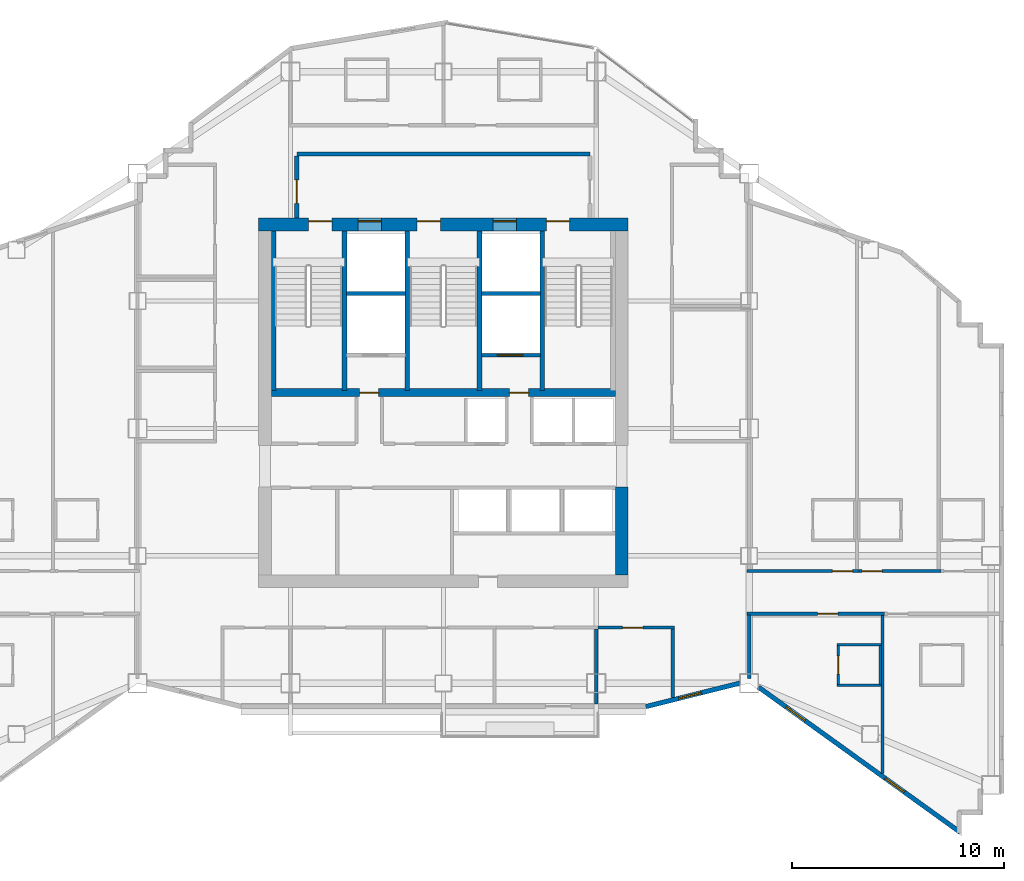
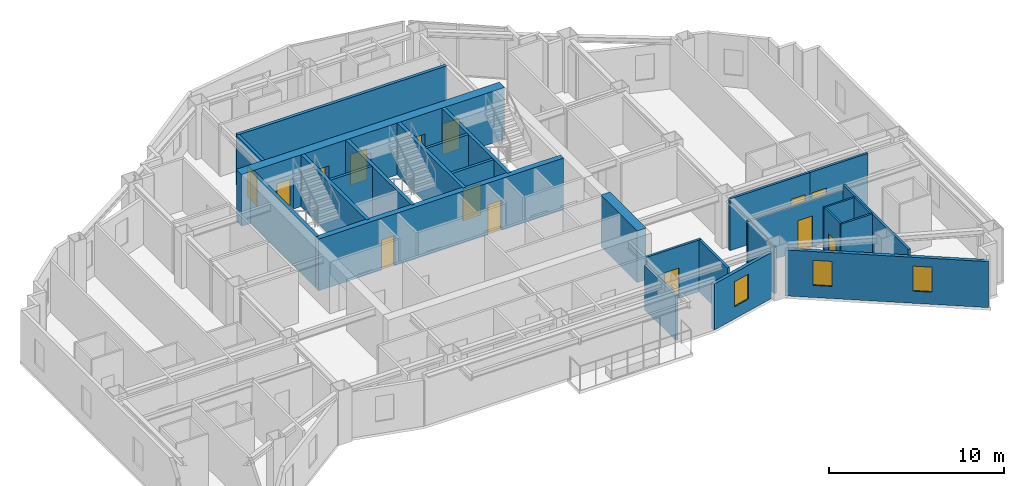
# One storey, part 7 of 11: 27 walls, 14 doors, 3 windows, 17 openings.
"""IFC4 building model written with IfcOpenShell, lengths in metres."""

from ifc_helpers import new_model, si_unit, direction, frame, frame_2d, origin, place, context, subcontext, project, spatial, rectangle, extrude, material, layer, layer_set, type_object, element, fill, save


model = new_model("IFC4")

# Units and contexts
model_context = context("Model", 3, precision=1e-05, world=origin(), true_north=direction((0.0, 1.0)))
body_context = subcontext(model_context, "Body", "Model", "MODEL_VIEW")
ifc_project = project(units=[si_unit("LENGTHUNIT", "METRE"), si_unit("AREAUNIT", "SQUARE_METRE"), si_unit("VOLUMEUNIT", "CUBIC_METRE"), si_unit("PLANEANGLEUNIT", "RADIAN"), si_unit("MASSUNIT", "GRAM", prefix="KILO")], contexts=[model_context])

# Site, building, storey
site_placement = place(None, origin())
site = spatial("IfcSite", under=ifc_project, at=site_placement, CompositionType="ELEMENT")
building_placement = place(site_placement, origin())
building = spatial("IfcBuilding", under=site, at=building_placement, Name="Haolan Belvedere Tower", CompositionType="ELEMENT")
storey_placement = place(building_placement, frame((0.0, 0.0, 211.60009765625)))
storey = spatial("IfcBuildingStorey", under=building, at=storey_placement, Name="L53", CompositionType="ELEMENT", Elevation=211.60009765625)

# Wall, openings, doors
ifc_material_1 = material(Name="Concrete C60/75", Category="concrete")
ifc_layer_1 = layer(ifc_material_1, 0.60009765625, Name="Concrete C60/75")
ifc_layer_set_1 = layer_set([ifc_layer_1], Name="Concrete C60/75")
wall_type_1 = type_object("IfcWallType", Name="WL-CORE-600", PredefinedType="SHEAR", material=ifc_layer_set_1)
wall_1_placement = place(storey_placement, frame((29.699951171875, 43.199951171875, 0.0), z_axis=(0.0, 0.0, 1.0), x_axis=(1.0, 0.0, 0.0)))
wall_1 = element("IfcWall", 1, at=wall_1_placement, inside=storey, type_object=wall_type_1, Name="L53 central core north shear wall", PredefinedType="SHEAR", context=body_context, shape_type="SweptSolid", body=[
    extrude(rectangle(XDim=17.400146484375, YDim=0.60009765625, at=frame_2d((8.7001953125, 0.0))), origin(), (0.0, 0.0, 1.0), 3.619873046875),
])
opening_1_placement = place(wall_1_placement, frame((2.35009765625, 0.0, 0.0)))
opening_1 = element("IfcOpeningElement", 2, at=opening_1_placement, cuts=wall_1, Name="Opening FD-03", PredefinedType="OPENING", context=body_context, shape_type="SweptSolid", body=[
    extrude(rectangle(XDim=1.10009765625, YDim=2.14990234375, at=frame_2d((0.550048828125, 1.074951171875))), frame((0.0, 0.31005859375, 0.0), z_axis=(0.0, -1.0, 0.0), x_axis=(1.0, 0.0, 0.0)), (0.0, 0.0, 1.0), 0.6201171875),
])
opening_2_placement = place(wall_1_placement, frame((7.4599609375, 0.0, 0.0)))
opening_2 = element("IfcOpeningElement", 3, at=opening_2_placement, cuts=wall_1, Name="Opening FD-03", PredefinedType="OPENING", context=body_context, shape_type="SweptSolid", body=[
    extrude(rectangle(XDim=1.10009765625, YDim=2.14990234375, at=frame_2d((0.550048828125, 1.074951171875))), frame((0.0, 0.31005859375, 0.0), z_axis=(0.0, -1.0, 0.0), x_axis=(1.0, 0.0, 0.0)), (0.0, 0.0, 1.0), 0.6201171875),
])
opening_3_placement = place(wall_1_placement, frame((13.550048828125, 0.0, 0.0)))
opening_3 = element("IfcOpeningElement", 4, at=opening_3_placement, cuts=wall_1, Name="Opening FD-03", PredefinedType="OPENING", context=body_context, shape_type="SweptSolid", body=[
    extrude(rectangle(XDim=1.10009765625, YDim=2.14990234375, at=frame_2d((0.550048828125, 1.074951171875))), frame((0.0, 0.31005859375, 0.0), z_axis=(0.0, -1.0, 0.0), x_axis=(1.0, 0.0, 0.0)), (0.0, 0.0, 1.0), 0.6201171875),
])
opening_4_placement = place(wall_1_placement, frame((4.679931640625, 0.0, 0.0)))
opening_4 = element("IfcOpeningElement", 5, at=opening_4_placement, cuts=wall_1, Name="Opening LD-01", PredefinedType="OPENING", context=body_context, shape_type="SweptSolid", body=[
    extrude(rectangle(XDim=1.10009765625, YDim=2.199951171875, at=frame_2d((0.550048828125, 1.10009765625))), frame((0.0, 0.31005859375, 0.0), z_axis=(0.0, -1.0, 0.0), x_axis=(1.0, 0.0, 0.0)), (0.0, 0.0, 1.0), 0.6201171875),
])
opening_5_placement = place(wall_1_placement, frame((11.0400390625, 0.0, 0.0)))
opening_5 = element("IfcOpeningElement", 6, at=opening_5_placement, cuts=wall_1, Name="Opening LD-01", PredefinedType="OPENING", context=body_context, shape_type="SweptSolid", body=[
    extrude(rectangle(XDim=1.10009765625, YDim=2.199951171875, at=frame_2d((0.550048828125, 1.10009765625))), frame((0.0, 0.31005859375, 0.0), z_axis=(0.0, -1.0, 0.0), x_axis=(1.0, 0.0, 0.0)), (0.0, 0.0, 1.0), 0.6201171875),
])
ifc_material_2 = material(Name="Galvanised fire-rated steel", Category="steel")
door_type_1 = type_object("IfcDoorType", Name="DR-FD90-1100", OperationType="NOTDEFINED", PredefinedType="DOOR", material=ifc_material_2)
door_1_placement = place(opening_1_placement, origin())
door_1 = element("IfcDoor", 7, at=door_1_placement, inside=storey, type_object=door_type_1, Name="L53 door CD-L53-ST1", OperationType="SINGLE_SWING_LEFT", OverallHeight=2.14990234375, OverallWidth=1.10009765625, PredefinedType="DOOR", context=body_context, shape_type="SweptSolid", body=[
    extrude(rectangle(XDim=1.10009765625, YDim=2.14990234375, at=frame_2d((0.550048828125, 1.074951171875))), frame((0.0, 0.18505859375, 0.0), z_axis=(0.0, -1.0, 0.0), x_axis=(1.0, 0.0, 0.0)), (0.0, 0.0, 1.0), 0.050048828125),
])
fill(opening_1, door_1)
door_2_placement = place(opening_2_placement, origin())
door_2 = element("IfcDoor", 8, at=door_2_placement, inside=storey, type_object=door_type_1, Name="L53 door CD-L53-ST3", OperationType="SINGLE_SWING_LEFT", OverallHeight=2.14990234375, OverallWidth=1.10009765625, PredefinedType="DOOR", context=body_context, shape_type="SweptSolid", body=[
    extrude(rectangle(XDim=1.10009765625, YDim=2.14990234375, at=frame_2d((0.550048828125, 1.074951171875))), frame((0.0, 0.18505859375, 0.0), z_axis=(0.0, -1.0, 0.0), x_axis=(1.0, 0.0, 0.0)), (0.0, 0.0, 1.0), 0.050048828125),
])
fill(opening_2, door_2)
door_3_placement = place(opening_3_placement, origin())
door_3 = element("IfcDoor", 9, at=door_3_placement, inside=storey, type_object=door_type_1, Name="L53 door CD-L53-ST2", OperationType="SINGLE_SWING_RIGHT", OverallHeight=2.14990234375, OverallWidth=1.10009765625, PredefinedType="DOOR", context=body_context, shape_type="SweptSolid", body=[
    extrude(rectangle(XDim=1.10009765625, YDim=2.14990234375, at=frame_2d((0.550048828125, 1.074951171875))), frame((0.0, 0.18505859375, 0.0), z_axis=(0.0, -1.0, 0.0), x_axis=(1.0, 0.0, 0.0)), (0.0, 0.0, 1.0), 0.050048828125),
])
fill(opening_3, door_3)
ifc_material_3 = material(Name="Brushed champagne stainless steel 316L", Category="steel")
door_type_2 = type_object("IfcDoorType", Name="DR-LIFT-1100", OperationType="SLIDING_TO_LEFT", PredefinedType="DOOR", material=ifc_material_3)
door_4_placement = place(opening_4_placement, origin())
door_4 = element("IfcDoor", 10, at=door_4_placement, inside=storey, type_object=door_type_2, Name="L53 door LD-L53-FF1", OperationType="SLIDING_TO_LEFT", OverallHeight=2.199951171875, OverallWidth=1.10009765625, PredefinedType="DOOR", context=body_context, shape_type="SweptSolid", body=[
    extrude(rectangle(XDim=1.10009765625, YDim=2.199951171875, at=frame_2d((0.550048828125, 1.10009765625))), frame((0.0, 0.18505859375, 0.0), z_axis=(0.0, -1.0, 0.0), x_axis=(1.0, 0.0, 0.0)), (0.0, 0.0, 1.0), 0.050048828125),
])
fill(opening_4, door_4)
door_5_placement = place(opening_5_placement, origin())
door_5 = element("IfcDoor", 11, at=door_5_placement, inside=storey, type_object=door_type_2, Name="L53 door LD-L53-FF2", OperationType="SLIDING_TO_LEFT", OverallHeight=2.199951171875, OverallWidth=1.10009765625, PredefinedType="DOOR", context=body_context, shape_type="SweptSolid", body=[
    extrude(rectangle(XDim=1.10009765625, YDim=2.199951171875, at=frame_2d((0.550048828125, 1.10009765625))), frame((0.0, 0.18505859375, 0.0), z_axis=(0.0, -1.0, 0.0), x_axis=(1.0, 0.0, 0.0)), (0.0, 0.0, 1.0), 0.050048828125),
])
fill(opening_5, door_5)

# Wall
wall_2_placement = place(storey_placement, frame((46.800048828125, 26.699951171875, 0.0), z_axis=(0.0, 0.0, 1.0), x_axis=(0.0, 1.0, 0.0)))
element("IfcWall", 12, at=wall_2_placement, inside=storey, type_object=wall_type_1, Name="L53 central core shear wall ES", PredefinedType="SHEAR", context=body_context, shape_type="SweptSolid", body=[
    extrude(rectangle(XDim=4.150146484375, YDim=0.60009765625, at=frame_2d((2.0751953125, 0.0))), origin(), (0.0, 0.0, 1.0), 3.619873046875),
])

# Wall, opening, window
ifc_material_4 = material(Name="Precast concrete C40/50", Category="concrete")
ifc_layer_2 = layer(ifc_material_4, 0.219970703125, Name="Precast concrete C40/50")
ifc_layer_set_2 = layer_set([ifc_layer_2], Name="Precast concrete C40/50")
wall_type_2 = type_object("IfcWallType", Name="WL-EXT-220", PredefinedType="SOLIDWALL", material=ifc_layer_set_2)
wall_3_placement = place(storey_placement, frame((47.93310546875, 20.49658203125, 0.0), z_axis=(0.0, 0.0, 1.0), x_axis=(0.970142500145, 0.242535625036, 0.0)))
wall_3 = element("IfcWall", 13, at=wall_3_placement, inside=storey, type_object=wall_type_2, Name="L53 pale-metal exterior spandrel wall 2.1", PredefinedType="SOLIDWALL", context=body_context, shape_type="SweptSolid", body=[
    extrude(rectangle(XDim=4.56103515625, YDim=0.219970703125, at=frame_2d((2.280517578125, 0.0))), origin(), (0.0, 0.0, 1.0), 3.21484375),
])
opening_6_placement = place(wall_3_placement, frame((1.60009765625, 0.0, 0.85009765625)))
opening_6 = element("IfcOpeningElement", 14, at=opening_6_placement, cuts=wall_3, Name="Opening W-03", PredefinedType="OPENING", context=body_context, shape_type="SweptSolid", body=[
    extrude(rectangle(XDim=1.10009765625, YDim=1.75, at=frame_2d((0.550048828125, 0.875))), frame((0.0, 0.119873046875, 0.0), z_axis=(0.0, -1.0, 0.0), x_axis=(1.0, 0.0, 0.0)), (0.0, 0.0, 1.0), 0.239990234375),
])
ifc_material_5 = material(Name="Anodised aluminium 6063-T6 and Low-E glass", Category="aluminium")
window_type = type_object("IfcWindowType", Name="WN-DECO-Z3", PartitioningType="SINGLE_PANEL", PredefinedType="WINDOW", material=ifc_material_5)
window_1_placement = place(opening_6_placement, origin())
window_1 = element("IfcWindow", 15, at=window_1_placement, inside=storey, type_object=window_type, Name="L53 Art Deco chevron window 1", OverallHeight=1.75, OverallWidth=1.10009765625, PartitioningType="SINGLE_PANEL", PredefinedType="WINDOW", context=body_context, shape_type="SweptSolid", body=[
    extrude(rectangle(XDim=1.10009765625, YDim=1.75, at=frame_2d((0.550048828125, 0.875))), frame((0.0, 0.030029296875, 0.0), z_axis=(0.0, -1.0, 0.0), x_axis=(1.0, 0.0, 0.0)), (0.0, 0.0, 1.0), 0.06005859375),
])
fill(opening_6, window_1)

# Wall, openings, windows
wall_4_placement = place(storey_placement, frame((53.241943359375, 21.417236328125, 0.0), z_axis=(0.0, 0.0, 1.0), x_axis=(0.811534737332, -0.58430417601, 0.0)))
wall_4 = element("IfcWall", 16, at=wall_4_placement, inside=storey, type_object=wall_type_2, Name="L53 pale-metal exterior spandrel wall 3.1", PredefinedType="SOLIDWALL", context=body_context, shape_type="SweptSolid", body=[
    extrude(rectangle(XDim=11.697265625, YDim=0.219970703125, at=frame_2d((5.8486328125, 0.0))), origin(), (0.0, 0.0, 1.0), 3.21484375),
])
opening_7_placement = place(wall_4_placement, frame((1.60009765625, 0.0, 0.85009765625)))
opening_7 = element("IfcOpeningElement", 17, at=opening_7_placement, cuts=wall_4, Name="Opening W-03", PredefinedType="OPENING", context=body_context, shape_type="SweptSolid", body=[
    extrude(rectangle(XDim=1.10009765625, YDim=1.75, at=frame_2d((0.550048828125, 0.875))), frame((0.0, 0.119873046875, 0.0), z_axis=(0.0, -1.0, 0.0), x_axis=(1.0, 0.0, 0.0)), (0.0, 0.0, 1.0), 0.239990234375),
])
opening_8_placement = place(wall_4_placement, frame((7.35546875, 0.0, 0.85009765625)))
opening_8 = element("IfcOpeningElement", 18, at=opening_8_placement, cuts=wall_4, Name="Opening W-03", PredefinedType="OPENING", context=body_context, shape_type="SweptSolid", body=[
    extrude(rectangle(XDim=1.10009765625, YDim=1.75, at=frame_2d((0.550048828125, 0.875))), frame((0.0, 0.119873046875, 0.0), z_axis=(0.0, -1.0, 0.0), x_axis=(1.0, 0.0, 0.0)), (0.0, 0.0, 1.0), 0.239990234375),
])
window_2_placement = place(opening_7_placement, origin())
window_2 = element("IfcWindow", 19, at=window_2_placement, inside=storey, type_object=window_type, Name="L53 Art Deco chevron window 1", OverallHeight=1.75, OverallWidth=1.10009765625, PartitioningType="SINGLE_PANEL", PredefinedType="WINDOW", context=body_context, shape_type="SweptSolid", body=[
    extrude(rectangle(XDim=1.10009765625, YDim=1.75, at=frame_2d((0.550048828125, 0.875))), frame((0.0, 0.030029296875, 0.0), z_axis=(0.0, -1.0, 0.0), x_axis=(1.0, 0.0, 0.0)), (0.0, 0.0, 1.0), 0.06005859375),
])
fill(opening_7, window_2)
window_3_placement = place(opening_8_placement, origin())
window_3 = element("IfcWindow", 20, at=window_3_placement, inside=storey, type_object=window_type, Name="L53 Art Deco chevron window 2", OverallHeight=1.75, OverallWidth=1.10009765625, PartitioningType="SINGLE_PANEL", PredefinedType="WINDOW", context=body_context, shape_type="SweptSolid", body=[
    extrude(rectangle(XDim=1.10009765625, YDim=1.75, at=frame_2d((0.550048828125, 0.875))), frame((0.0, 0.030029296875, 0.0), z_axis=(0.0, -1.0, 0.0), x_axis=(1.0, 0.0, 0.0)), (0.0, 0.0, 1.0), 0.06005859375),
])
fill(opening_8, window_3)

# Wall
ifc_material_6 = material(Name="Concrete C40/50", Category="concrete")
ifc_layer_3 = layer(ifc_material_6, 0.199951171875, Name="Concrete C40/50")
ifc_layer_set_3 = layer_set([ifc_layer_3], Name="Concrete C40/50")
wall_type_3 = type_object("IfcWallType", Name="WL-FIRE-200", PredefinedType="SOLIDWALL", material=ifc_layer_set_3)
wall_5_placement = place(storey_placement, frame((31.5, 46.52001953125, 0.0), z_axis=(0.0, 0.0, 1.0), x_axis=(1.0, 0.0, 0.0)))
element("IfcWall", 21, at=wall_5_placement, inside=storey, type_object=wall_type_3, Name="L53 interior partition IW-L53-FFL-N", PredefinedType="SOLIDWALL", context=body_context, shape_type="SweptSolid", body=[
    extrude(rectangle(XDim=13.800048828125, YDim=0.199951171875, at=frame_2d((6.89990234375, 0.0))), origin(), (0.0, 0.0, 1.0), 3.619873046875),
])

# Wall, opening, door
wall_6_placement = place(storey_placement, frame((31.5, 43.5, 0.0), z_axis=(0.0, 0.0, 1.0), x_axis=(0.0, 1.0, 0.0)))
wall_6 = element("IfcWall", 22, at=wall_6_placement, inside=storey, type_object=wall_type_3, Name="L53 interior partition IW-L53-FFL-W", PredefinedType="SOLIDWALL", context=body_context, shape_type="SweptSolid", body=[
    extrude(rectangle(XDim=2.93505859375, YDim=0.199951171875, at=frame_2d((1.467529296875, 0.0))), origin(), (0.0, 0.0, 1.0), 3.619873046875),
])
opening_9_placement = place(wall_6_placement, frame((1.800048828125, 0.0, 0.0), z_axis=(0.0, 0.0, 1.0), x_axis=(-1.0, 0.0, 0.0)))
opening_9 = element("IfcOpeningElement", 23, at=opening_9_placement, cuts=wall_6, Name="Opening FD-03", PredefinedType="OPENING", context=body_context, shape_type="SweptSolid", body=[
    extrude(rectangle(XDim=1.10009765625, YDim=2.14990234375, at=frame_2d((0.550048828125, 1.074951171875))), frame((0.0, 0.10986328125, 0.0), z_axis=(0.0, -1.0, 0.0), x_axis=(1.0, 0.0, 0.0)), (0.0, 0.0, 1.0), 0.219970703125),
])
door_6_placement = place(opening_9_placement, origin())
door_6 = element("IfcDoor", 24, at=door_6_placement, inside=storey, type_object=door_type_1, Name="L53 door ID-L53-FFL-DW", OperationType="SINGLE_SWING_LEFT", OverallHeight=2.14990234375, OverallWidth=1.10009765625, PredefinedType="DOOR", context=body_context, shape_type="SweptSolid", body=[
    extrude(rectangle(XDim=1.10009765625, YDim=2.14990234375, at=frame_2d((0.550048828125, 1.074951171875))), frame((0.0, 0.02490234375, 0.0), z_axis=(0.0, -1.0, 0.0), x_axis=(1.0, 0.0, 0.0)), (0.0, 0.0, 1.0), 0.050048828125),
])
fill(opening_9, door_6)

# Wall
ifc_material_7 = material(Name="Double gypsum acoustic stud partition", Category="masonry")
ifc_layer_4 = layer(ifc_material_7, 0.14990234375, Name="Double gypsum acoustic stud partition")
ifc_layer_set_4 = layer_set([ifc_layer_4], Name="Double gypsum acoustic stud partition")
wall_type_4 = type_object("IfcWallType", Name="WL-PART-150", PredefinedType="PARTITIONING", material=ifc_layer_set_4)
wall_7_placement = place(storey_placement, frame((45.60009765625, 20.612060546875, 0.0), z_axis=(0.0, 0.0, 1.0), x_axis=(0.0, 1.0, 0.0)))
element("IfcWall", 25, at=wall_7_placement, inside=storey, type_object=wall_type_4, Name="L53 interior partition IW-L53-KS5-E", PredefinedType="PARTITIONING", context=body_context, shape_type="SweptSolid", body=[
    extrude(rectangle(XDim=3.5478515625, YDim=0.14990234375, at=frame_2d((1.77392578125, 0.0))), origin(), (0.0, 0.0, 1.0), 3.10498046875),
])

# Wall, opening, door
wall_8_placement = place(storey_placement, frame((45.681884765625, 24.219970703125, 0.0), z_axis=(0.0, 0.0, 1.0), x_axis=(1.0, 0.0, 0.0)))
wall_8 = element("IfcWall", 26, at=wall_8_placement, inside=storey, type_object=wall_type_4, Name="L53 interior partition IW-L53-KS6-N", PredefinedType="PARTITIONING", context=body_context, shape_type="SweptSolid", body=[
    extrude(rectangle(XDim=3.59814453125, YDim=0.14990234375, at=frame_2d((1.799072265625, 0.0))), origin(), (0.0, 0.0, 1.0), 3.619873046875),
])
opening_10_placement = place(wall_8_placement, frame((2.113037109375, 0.0, 0.0), z_axis=(0.0, 0.0, 1.0), x_axis=(-1.0, 0.0, 0.0)))
opening_10 = element("IfcOpeningElement", 27, at=opening_10_placement, cuts=wall_8, Name="Opening ID-03", PredefinedType="OPENING", context=body_context, shape_type="SweptSolid", body=[
    extrude(rectangle(XDim=0.949951171875, YDim=2.1201171875, at=frame_2d((0.47509765625, 1.06005859375))), frame((0.0, 0.0849609375, 0.0), z_axis=(0.0, -1.0, 0.0), x_axis=(1.0, 0.0, 0.0)), (0.0, 0.0, 1.0), 0.169921875),
])
ifc_material_8 = material(Name="Painted solid-core timber", Category="wood")
door_type_3 = type_object("IfcDoorType", Name="DR-INT-950", OperationType="NOTDEFINED", PredefinedType="DOOR", material=ifc_material_8)
door_7_placement = place(opening_10_placement, origin())
door_7 = element("IfcDoor", 28, at=door_7_placement, inside=storey, type_object=door_type_3, Name="L53 door ID-L53-KS6", OperationType="SINGLE_SWING_RIGHT", OverallHeight=2.1201171875, OverallWidth=0.949951171875, PredefinedType="DOOR", context=body_context, shape_type="SweptSolid", body=[
    extrude(rectangle(XDim=0.949951171875, YDim=2.1201171875, at=frame_2d((0.47509765625, 1.06005859375))), frame((0.0, 0.02490234375, 0.0), z_axis=(0.0, -1.0, 0.0), x_axis=(1.0, 0.0, 0.0)), (0.0, 0.0, 1.0), 0.050048828125),
])
fill(opening_10, door_7)

# Wall
wall_9_placement = place(storey_placement, frame((49.199951171875, 20.91845703125, 0.0), z_axis=(0.0, 0.0, 1.0), x_axis=(0.0, 1.0, 0.0)))
element("IfcWall", 29, at=wall_9_placement, inside=storey, type_object=wall_type_4, Name="L53 interior partition IW-L53-KS6-E", PredefinedType="PARTITIONING", context=body_context, shape_type="SweptSolid", body=[
    extrude(rectangle(XDim=3.241455078125, YDim=0.14990234375, at=frame_2d((1.62060546875, 0.0))), origin(), (0.0, 0.0, 1.0), 3.619873046875),
])

# Wall, opening, door
wall_10_placement = place(storey_placement, frame((52.699951171875, 26.8798828125, 0.0), z_axis=(0.0, 0.0, 1.0), x_axis=(1.0, 0.0, 0.0)))
wall_10 = element("IfcWall", 30, at=wall_10_placement, inside=storey, type_object=wall_type_4, Name="L53 interior partition IW-L53-T4N1-S", PredefinedType="PARTITIONING", context=body_context, shape_type="SweptSolid", body=[
    extrude(rectangle(XDim=5.27001953125, YDim=0.14990234375, at=frame_2d((2.635009765625, 0.0))), origin(), (0.0, 0.0, 1.0), 3.619873046875),
])
opening_11_placement = place(wall_10_placement, frame((4.01708984375, 0.0, 0.0)))
opening_11 = element("IfcOpeningElement", 31, at=opening_11_placement, cuts=wall_10, Name="Opening ID-01", PredefinedType="OPENING", context=body_context, shape_type="SweptSolid", body=[
    extrude(rectangle(XDim=0.949951171875, YDim=2.179931640625, at=frame_2d((0.47509765625, 1.08984375))), frame((0.0, 0.0849609375, 0.0), z_axis=(0.0, -1.0, 0.0), x_axis=(1.0, 0.0, 0.0)), (0.0, 0.0, 1.0), 0.169921875),
])
ifc_material_9 = material(Name="Acoustic walnut veneer fire-rated timber", Category="wood")
door_type_4 = type_object("IfcDoorType", Name="DR-SUITE-950", OperationType="NOTDEFINED", PredefinedType="DOOR", material=ifc_material_9)
door_8_placement = place(opening_11_placement, origin())
door_8 = element("IfcDoor", 32, at=door_8_placement, inside=storey, type_object=door_type_4, Name="L53 door ID-L53-T4N1-ENT", OperationType="SINGLE_SWING_RIGHT", OverallHeight=2.179931640625, OverallWidth=0.949951171875, PredefinedType="DOOR", context=body_context, shape_type="SweptSolid", body=[
    extrude(rectangle(XDim=0.949951171875, YDim=2.179931640625, at=frame_2d((0.47509765625, 1.08984375))), frame((0.0, 0.02490234375, 0.0), z_axis=(0.0, -1.0, 0.0), x_axis=(1.0, 0.0, 0.0)), (0.0, 0.0, 1.0), 0.050048828125),
])
fill(opening_11, door_8)

wall_11_placement = place(storey_placement, frame((57.971923828125, 26.8798828125, 0.0), z_axis=(0.0, 0.0, 1.0), x_axis=(1.0, 0.0, 0.0)))
wall_11 = element("IfcWall", 33, at=wall_11_placement, inside=storey, type_object=wall_type_4, Name="L53 interior partition IW-L53-T4N2-S", PredefinedType="PARTITIONING", context=body_context, shape_type="SweptSolid", body=[
    extrude(rectangle(XDim=3.858154296875, YDim=0.14990234375, at=frame_2d((1.92919921875, 0.0))), origin(), (0.0, 0.0, 1.0), 3.619873046875),
])
opening_12_placement = place(wall_11_placement, frame((0.139892578125, 0.0, 0.0)))
opening_12 = element("IfcOpeningElement", 34, at=opening_12_placement, cuts=wall_11, Name="Opening ID-02", PredefinedType="OPENING", context=body_context, shape_type="SweptSolid", body=[
    extrude(rectangle(XDim=0.949951171875, YDim=2.14990234375, at=frame_2d((0.47509765625, 1.074951171875))), frame((0.0, 0.0849609375, 0.0), z_axis=(0.0, -1.0, 0.0), x_axis=(1.0, 0.0, 0.0)), (0.0, 0.0, 1.0), 0.169921875),
])
ifc_material_10 = material(Name="Acoustic oak veneer fire-rated timber", Category="wood")
door_type_5 = type_object("IfcDoorType", Name="DR-GUEST-950", OperationType="NOTDEFINED", PredefinedType="DOOR", material=ifc_material_10)
door_9_placement = place(opening_12_placement, origin())
door_9 = element("IfcDoor", 35, at=door_9_placement, inside=storey, type_object=door_type_5, Name="L53 door ID-L53-T4N2-ENT", OperationType="SINGLE_SWING_LEFT", OverallHeight=2.14990234375, OverallWidth=0.949951171875, PredefinedType="DOOR", context=body_context, shape_type="SweptSolid", body=[
    extrude(rectangle(XDim=0.949951171875, YDim=2.14990234375, at=frame_2d((0.47509765625, 1.074951171875))), frame((0.0, 0.02490234375, 0.0), z_axis=(0.0, -1.0, 0.0), x_axis=(1.0, 0.0, 0.0)), (0.0, 0.0, 1.0), 0.050048828125),
])
fill(opening_12, door_9)

wall_12_placement = place(storey_placement, frame((52.699951171875, 24.8701171875, 0.0), z_axis=(0.0, 0.0, 1.0), x_axis=(1.0, 0.0, 0.0)))
wall_12 = element("IfcWall", 36, at=wall_12_placement, inside=storey, type_object=wall_type_4, Name="L53 interior partition IW-L53-T4S1-N", PredefinedType="PARTITIONING", context=body_context, shape_type="SweptSolid", body=[
    extrude(rectangle(XDim=6.47998046875, YDim=0.14990234375, at=frame_2d((3.239990234375, 0.0))), origin(), (0.0, 0.0, 1.0), 3.2548828125),
])
opening_13_placement = place(wall_12_placement, frame((4.27685546875, 0.0, 0.0), z_axis=(0.0, 0.0, 1.0), x_axis=(-1.0, 0.0, 0.0)))
opening_13 = element("IfcOpeningElement", 37, at=opening_13_placement, cuts=wall_12, Name="Opening ID-02", PredefinedType="OPENING", context=body_context, shape_type="SweptSolid", body=[
    extrude(rectangle(XDim=0.949951171875, YDim=2.14990234375, at=frame_2d((0.47509765625, 1.074951171875))), frame((0.0, 0.0849609375, 0.0), z_axis=(0.0, -1.0, 0.0), x_axis=(1.0, 0.0, 0.0)), (0.0, 0.0, 1.0), 0.169921875),
])
door_10_placement = place(opening_13_placement, origin())
door_10 = element("IfcDoor", 38, at=door_10_placement, inside=storey, type_object=door_type_5, Name="L53 door ID-L53-T4S1-ENT", OperationType="SINGLE_SWING_LEFT", OverallHeight=2.14990234375, OverallWidth=0.949951171875, PredefinedType="DOOR", context=body_context, shape_type="SweptSolid", body=[
    extrude(rectangle(XDim=0.949951171875, YDim=2.14990234375, at=frame_2d((0.47509765625, 1.074951171875))), frame((0.0, 0.02490234375, 0.0), z_axis=(0.0, -1.0, 0.0), x_axis=(1.0, 0.0, 0.0)), (0.0, 0.0, 1.0), 0.050048828125),
])
fill(opening_13, door_10)

# Walls
wall_13_placement = place(storey_placement, frame((52.800048828125, 21.818603515625, 0.0), z_axis=(0.0, 0.0, 1.0), x_axis=(0.0, 1.0, 0.0)))
element("IfcWall", 39, at=wall_13_placement, inside=storey, type_object=wall_type_4, Name="L53 interior partition IW-L53-T4S1-W", PredefinedType="PARTITIONING", context=body_context, shape_type="SweptSolid", body=[
    extrude(rectangle(XDim=2.991455078125, YDim=0.14990234375, at=frame_2d((1.49560546875, 0.0))), origin(), (0.0, 0.0, 1.0), 3.21484375),
])
wall_14_placement = place(storey_placement, frame((59.080078125, 17.339599609375, 0.0), z_axis=(0.0, 0.0, 1.0), x_axis=(0.0, 1.0, 0.0)))
element("IfcWall", 40, at=wall_14_placement, inside=storey, type_object=wall_type_4, Name="L53 interior partition IW-L53-T4S1-E", PredefinedType="PARTITIONING", context=body_context, shape_type="SweptSolid", body=[
    extrude(rectangle(XDim=7.470458984375, YDim=0.14990234375, at=frame_2d((3.7353515625, 0.0))), origin(), (0.0, 0.0, 1.0), 3.619873046875),
])
ifc_layer_5 = layer(ifc_material_4, 0.179931640625, Name="Precast concrete C40/50")
ifc_layer_set_5 = layer_set([ifc_layer_5], Name="Precast concrete C40/50")
wall_type_5 = type_object("IfcWallType", Name="WL-SHAFT-180", PredefinedType="SOLIDWALL", material=ifc_layer_set_5)
for number, where, z_axis, x_axis, name in (
    (41, (33.8349609375, 39.949951171875, 0.0), (0.0, 0.0, 1.0), (1.0, 0.0, 0.0), "L53 interior partition IW-L53-FF1-S"),
    (42, (40.195068359375, 39.949951171875, 0.0), (0.0, 0.0, 1.0), (1.0, 0.0, 0.0), "L53 interior partition IW-L53-FF2-S"),
):
    element("IfcWall", number, at=place(storey_placement, frame(where, z_axis=z_axis, x_axis=x_axis)), inside=storey, type_object=wall_type_5, Name=name, PredefinedType="SOLIDWALL", context=body_context, shape_type="SweptSolid", body=[
        extrude(rectangle(XDim=2.77001953125, YDim=0.179931640625, at=frame_2d((1.385009765625, 0.0))), origin(), (0.0, 0.0, 1.0), 3.619873046875),
    ])

# Wall, opening, door
wall_15_placement = place(storey_placement, frame((40.195068359375, 37.050048828125, 0.0), z_axis=(0.0, 0.0, 1.0), x_axis=(1.0, 0.0, 0.0)))
wall_15 = element("IfcWall", 43, at=wall_15_placement, inside=storey, type_object=wall_type_5, Name="L53 interior partition IW-L53-SV2-S", PredefinedType="SOLIDWALL", context=body_context, shape_type="SweptSolid", body=[
    extrude(rectangle(XDim=2.77001953125, YDim=0.179931640625, at=frame_2d((1.385009765625, 0.0))), origin(), (0.0, 0.0, 1.0), 3.619873046875),
])
opening_14_placement = place(wall_15_placement, frame((1.945068359375, 0.0, 0.0), z_axis=(0.0, 0.0, 1.0), x_axis=(-1.0, 0.0, 0.0)))
opening_14 = element("IfcOpeningElement", 44, at=opening_14_placement, cuts=wall_15, Name="Opening LD-02", PredefinedType="OPENING", context=body_context, shape_type="SweptSolid", body=[
    extrude(rectangle(XDim=1.199951171875, YDim=2.199951171875, at=frame_2d((0.60009765625, 1.10009765625))), frame((0.0, 0.099853515625, 0.0), z_axis=(0.0, -1.0, 0.0), x_axis=(1.0, 0.0, 0.0)), (0.0, 0.0, 1.0), 0.199951171875),
])
door_type_6 = type_object("IfcDoorType", Name="DR-LIFT-1200", OperationType="SLIDING_TO_RIGHT", PredefinedType="DOOR", material=ifc_material_3)
door_11_placement = place(opening_14_placement, origin())
door_11 = element("IfcDoor", 45, at=door_11_placement, inside=storey, type_object=door_type_6, Name="L53 door ID-L53-LD-SV2", OperationType="SLIDING_TO_RIGHT", OverallHeight=2.199951171875, OverallWidth=1.199951171875, PredefinedType="DOOR", context=body_context, shape_type="SweptSolid", body=[
    extrude(rectangle(XDim=1.199951171875, YDim=2.199951171875, at=frame_2d((0.60009765625, 1.10009765625))), frame((0.0, 0.02490234375, 0.0), z_axis=(0.0, -1.0, 0.0), x_axis=(1.0, 0.0, 0.0)), (0.0, 0.0, 1.0), 0.050048828125),
])
fill(opening_14, door_11)

# Walls
ifc_material_11 = material(Name="Concrete C50/60", Category="concrete")
ifc_layer_6 = layer(ifc_material_11, 0.219970703125, Name="Concrete C50/60")
ifc_layer_set_6 = layer_set([ifc_layer_6], Name="Concrete C50/60")
wall_type_6 = type_object("IfcWallType", Name="WL-STAIR-220", PredefinedType="SHEAR", material=ifc_layer_set_6)
for number, where, z_axis, x_axis, name in (
    (46, (30.412109375, 35.389892578125, 0.0), (0.0, 0.0, 1.0), (0.0, 1.0, 0.0), "L53 structural stair core wall ST1W"),
    (47, (33.739990234375, 35.389892578125, 0.0), (0.0, 0.0, 1.0), (0.0, 1.0, 0.0), "L53 structural stair core wall ST1E"),
    (48, (36.699951171875, 35.389892578125, 0.0), (0.0, 0.0, 1.0), (0.0, 1.0, 0.0), "L53 structural stair core wall ST3W"),
    (49, (40.10009765625, 35.389892578125, 0.0), (0.0, 0.0, 1.0), (0.0, 1.0, 0.0), "L53 structural stair core wall ST3E"),
    (50, (43.06005859375, 35.389892578125, 0.0), (0.0, 0.0, 1.0), (0.0, 1.0, 0.0), "L53 structural stair core wall ST2W"),
):
    element("IfcWall", number, at=place(storey_placement, frame(where, z_axis=z_axis, x_axis=x_axis)), inside=storey, type_object=wall_type_6, Name=name, PredefinedType="SHEAR", context=body_context, shape_type="SweptSolid", body=[
        extrude(rectangle(XDim=7.510009765625, YDim=0.219970703125, at=frame_2d((3.7548828125, 0.0))), origin(), (0.0, 0.0, 1.0), 3.619873046875),
    ])

# Wall, openings, doors
ifc_layer_7 = layer(ifc_material_1, 0.360107421875, Name="Concrete C60/75")
ifc_layer_set_7 = layer_set([ifc_layer_7], Name="Concrete C60/75")
wall_type_7 = type_object("IfcWallType", Name="WL-WEB-350", PredefinedType="SHEAR", material=ifc_layer_set_7)
wall_16_placement = place(storey_placement, frame((30.300048828125, 35.2900390625, 0.0), z_axis=(0.0, 0.0, 1.0), x_axis=(1.0, 0.0, 0.0)))
wall_16 = element("IfcWall", 51, at=wall_16_placement, inside=storey, type_object=wall_type_7, Name="L53 central core internal shear web", PredefinedType="SHEAR", context=body_context, shape_type="SweptSolid", body=[
    extrude(rectangle(XDim=16.199951171875, YDim=0.360107421875, at=frame_2d((8.10009765625, 0.0))), origin(), (0.0, 0.0, 1.0), 3.619873046875),
])
opening_15_placement = place(wall_16_placement, frame((5.0498046875, 0.0, 0.0), z_axis=(0.0, 0.0, 1.0), x_axis=(-1.0, 0.0, 0.0)))
opening_15 = element("IfcOpeningElement", 52, at=opening_15_placement, cuts=wall_16, Name="Opening FD-05", PredefinedType="OPENING", context=body_context, shape_type="SweptSolid", body=[
    extrude(rectangle(XDim=0.89990234375, YDim=2.10009765625, at=frame_2d((0.449951171875, 1.050048828125))), frame((0.0, 0.18994140625, 0.0), z_axis=(0.0, -1.0, 0.0), x_axis=(1.0, 0.0, 0.0)), (0.0, 0.0, 1.0), 0.380126953125),
])
opening_16_placement = place(wall_16_placement, frame((12.10986328125, 0.0, 0.0), z_axis=(0.0, 0.0, 1.0), x_axis=(-1.0, 0.0, 0.0)))
opening_16 = element("IfcOpeningElement", 53, at=opening_16_placement, cuts=wall_16, Name="Opening FD-05", PredefinedType="OPENING", context=body_context, shape_type="SweptSolid", body=[
    extrude(rectangle(XDim=0.89990234375, YDim=2.10009765625, at=frame_2d((0.449951171875, 1.050048828125))), frame((0.0, 0.18994140625, 0.0), z_axis=(0.0, -1.0, 0.0), x_axis=(1.0, 0.0, 0.0)), (0.0, 0.0, 1.0), 0.380126953125),
])
door_type_7 = type_object("IfcDoorType", Name="DR-FD60-900", OperationType="NOTDEFINED", PredefinedType="DOOR", material=ifc_material_2)
door_12_placement = place(opening_15_placement, origin())
door_12 = element("IfcDoor", 54, at=door_12_placement, inside=storey, type_object=door_type_7, Name="L53 door CD-L53-SVL-SV1", OperationType="SINGLE_SWING_RIGHT", OverallHeight=2.10009765625, OverallWidth=0.89990234375, PredefinedType="DOOR", context=body_context, shape_type="SweptSolid", body=[
    extrude(rectangle(XDim=0.89990234375, YDim=2.10009765625, at=frame_2d((0.449951171875, 1.050048828125))), frame((0.0, 0.02490234375, 0.0), z_axis=(0.0, -1.0, 0.0), x_axis=(1.0, 0.0, 0.0)), (0.0, 0.0, 1.0), 0.050048828125),
])
fill(opening_15, door_12)
door_13_placement = place(opening_16_placement, origin())
door_13 = element("IfcDoor", 55, at=door_13_placement, inside=storey, type_object=door_type_7, Name="L53 door CD-L53-SVL-SV2", OperationType="SINGLE_SWING_RIGHT", OverallHeight=2.10009765625, OverallWidth=0.89990234375, PredefinedType="DOOR", context=body_context, shape_type="SweptSolid", body=[
    extrude(rectangle(XDim=0.89990234375, YDim=2.10009765625, at=frame_2d((0.449951171875, 1.050048828125))), frame((0.0, 0.02490234375, 0.0), z_axis=(0.0, -1.0, 0.0), x_axis=(1.0, 0.0, 0.0)), (0.0, 0.0, 1.0), 0.050048828125),
])
fill(opening_16, door_13)

# Walls
ifc_material_12 = material(Name="Moisture-resistant gypsum tile partition", Category="masonry")
ifc_layer_8 = layer(ifc_material_12, 0.1201171875, Name="Moisture-resistant gypsum tile partition")
ifc_layer_set_8 = layer_set([ifc_layer_8], Name="Moisture-resistant gypsum tile partition")
wall_type_8 = type_object("IfcWallType", Name="WL-WET-120", PredefinedType="PARTITIONING", material=ifc_layer_set_8)
for number, where, z_axis, x_axis, name in (
    (56, (56.93994140625, 23.419921875, 0.0), (0.0, 0.0, 1.0), (1.0, 0.0, 0.0), "L53 interior partition IW-L53-T4S1-BN"),
    (57, (56.93994140625, 21.5, 0.0), (0.0, 0.0, 1.0), (1.0, 0.0, 0.0), "L53 interior partition IW-L53-T4S1-BS"),
):
    element("IfcWall", number, at=place(storey_placement, frame(where, z_axis=z_axis, x_axis=x_axis)), inside=storey, type_object=wall_type_8, Name=name, PredefinedType="PARTITIONING", context=body_context, shape_type="SweptSolid", body=[
        extrude(rectangle(XDim=2.080078125, YDim=0.1201171875, at=frame_2d((1.0400390625, 0.0))), origin(), (0.0, 0.0, 1.0), 3.619873046875),
    ])

# Wall, opening, door
wall_17_placement = place(storey_placement, frame((57.0, 21.544921875, 0.0), z_axis=(0.0, 0.0, 1.0), x_axis=(0.0, 1.0, 0.0)))
wall_17 = element("IfcWall", 58, at=wall_17_placement, inside=storey, type_object=wall_type_8, Name="L53 interior partition IW-L53-T4S1-BW", PredefinedType="PARTITIONING", context=body_context, shape_type="SweptSolid", body=[
    extrude(rectangle(XDim=1.830078125, YDim=0.1201171875, at=frame_2d((0.9150390625, 0.0))), origin(), (0.0, 0.0, 1.0), 3.619873046875),
])
opening_17_placement = place(wall_17_placement, frame((1.340087890625, 0.0, 0.0), z_axis=(0.0, 0.0, 1.0), x_axis=(-1.0, 0.0, 0.0)))
opening_17 = element("IfcOpeningElement", 59, at=opening_17_placement, cuts=wall_17, Name="Opening ID-05", PredefinedType="OPENING", context=body_context, shape_type="SweptSolid", body=[
    extrude(rectangle(XDim=0.85009765625, YDim=2.10009765625, at=frame_2d((0.425048828125, 1.050048828125))), frame((0.0, 0.070068359375, 0.0), z_axis=(0.0, -1.0, 0.0), x_axis=(1.0, 0.0, 0.0)), (0.0, 0.0, 1.0), 0.14013671875),
])
ifc_material_13 = material(Name="Moisture-resistant lacquered timber", Category="wood")
door_type_8 = type_object("IfcDoorType", Name="DR-BATH-850", OperationType="NOTDEFINED", PredefinedType="DOOR", material=ifc_material_13)
door_14_placement = place(opening_17_placement, origin())
door_14 = element("IfcDoor", 60, at=door_14_placement, inside=storey, type_object=door_type_8, Name="L53 door ID-L53-T4S1-BATH", OperationType="SINGLE_SWING_RIGHT", OverallHeight=2.10009765625, OverallWidth=0.85009765625, PredefinedType="DOOR", context=body_context, shape_type="SweptSolid", body=[
    extrude(rectangle(XDim=0.85009765625, YDim=2.10009765625, at=frame_2d((0.425048828125, 1.050048828125))), frame((0.0, 0.02490234375, 0.0), z_axis=(0.0, -1.0, 0.0), x_axis=(1.0, 0.0, 0.0)), (0.0, 0.0, 1.0), 0.050048828125),
])
fill(opening_17, door_14)

# Wall
wall_18_placement = place(storey_placement, frame((58.97998046875, 21.544921875, 0.0), z_axis=(0.0, 0.0, 1.0), x_axis=(0.0, 1.0, 0.0)))
element("IfcWall", 61, at=wall_18_placement, inside=storey, type_object=wall_type_8, Name="L53 interior partition IW-L53-T4S1-BE", PredefinedType="PARTITIONING", context=body_context, shape_type="SweptSolid", body=[
    extrude(rectangle(XDim=1.830078125, YDim=0.1201171875, at=frame_2d((0.9150390625, 0.0))), origin(), (0.0, 0.0, 1.0), 3.619873046875),
])

save(model, "model.ifc")
